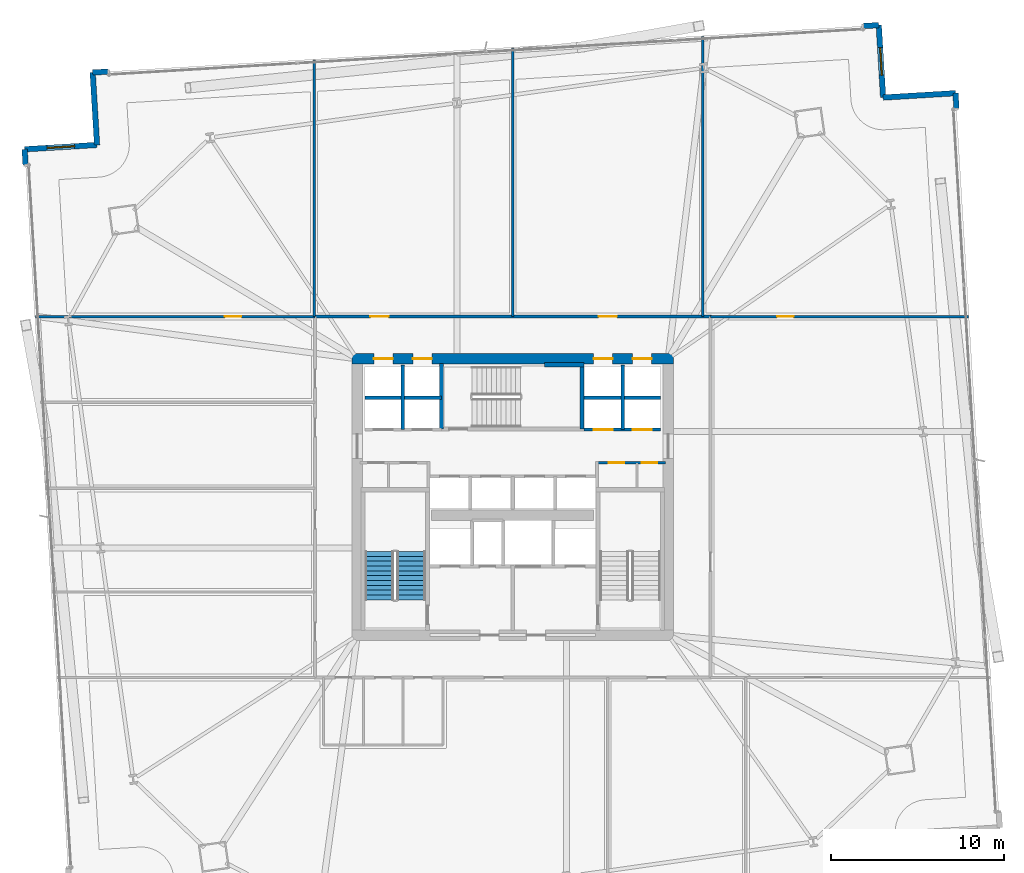
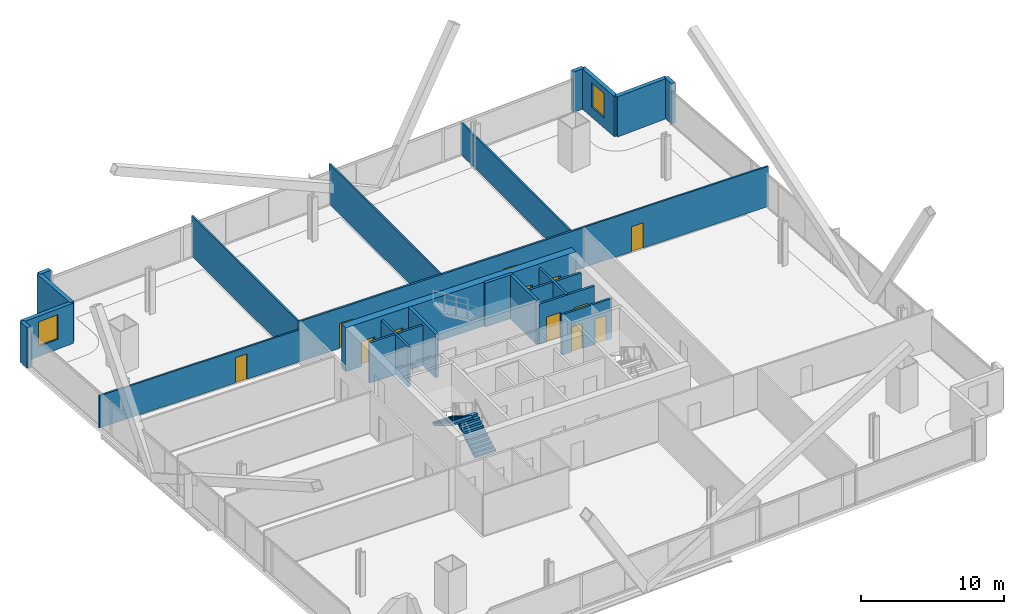
# One storey, part 28 of 34: 24 walls, 12 doors, 2 stair flights, 2 windows, 14 openings, 1 element without a shape of its own.
"""IFC4 building model written with IfcOpenShell, lengths in metres."""

from ifc_helpers import new_model, si_unit, direction, frame, frame_2d, origin, place, context, subcontext, project, spatial, polyline, rectangle, outline, extrude, material, layer, layer_set, type_object, element, fill, aggregate, save


model = new_model("IFC4")

# Units and contexts
model_context = context("Model", 3, precision=1e-05, world=origin(), true_north=direction((0.0, 1.0)))
body_context = subcontext(model_context, "Body", "Model", "MODEL_VIEW")
ifc_project = project(units=[si_unit("LENGTHUNIT", "METRE"), si_unit("AREAUNIT", "SQUARE_METRE"), si_unit("VOLUMEUNIT", "CUBIC_METRE"), si_unit("PLANEANGLEUNIT", "RADIAN"), si_unit("MASSUNIT", "GRAM", prefix="KILO")], contexts=[model_context])

# Site, building, storey
site_placement = place(None, origin())
site = spatial("IfcSite", under=ifc_project, at=site_placement, CompositionType="ELEMENT")
building_placement = place(site_placement, origin())
building = spatial("IfcBuilding", under=site, at=building_placement, Name="Haldenkirk Collegiate Tower", CompositionType="ELEMENT")
storey_placement = place(building_placement, frame((0.0, 0.0, 40.199951171875)))
storey = spatial("IfcBuildingStorey", under=building, at=storey_placement, Name="L08", CompositionType="ELEMENT", Elevation=40.199951171875)

# Wall, openings, doors
ifc_material_1 = material(Name="Concrete f'c 70 MPa", Category="concrete")
ifc_layer_1 = layer(ifc_material_1, 0.60009765625)
ifc_layer_set_1 = layer_set([ifc_layer_1], Name="Concrete f'c 70 MPa")
wall_type_1 = type_object("IfcWallType", Name="WL-CORE-600", PredefinedType="SHEAR", material=ifc_layer_set_1)
wall_1_placement = place(storey_placement, frame((26.699951171875, 34.0, 0.0), z_axis=(0.0, 0.0, 1.0), x_axis=(1.0, 0.0, 0.0)))
wall_1 = element("IfcWall", 1, at=wall_1_placement, inside=storey, type_object=wall_type_1, Name="L08 central core shear wall N", PredefinedType="SHEAR", context=body_context, shape_type="SweptSolid", body=[
    extrude(rectangle(XDim=18.60009765625, YDim=0.60009765625, at=frame_2d((9.300048828125, 0.0))), origin(), (0.0, 0.0, 1.0), 3.75),
])
opening_1_placement = place(wall_1_placement, frame((1.264892578125, 0.0, 0.0)))
opening_1 = element("IfcOpeningElement", 2, at=opening_1_placement, cuts=wall_1, Name="Opening LD-11", PredefinedType="OPENING", context=body_context, shape_type="SweptSolid", body=[
    extrude(rectangle(XDim=1.10009765625, YDim=2.14990234375, at=frame_2d((0.550048828125, 1.074951171875))), frame((0.0, 0.31005859375, 0.0), z_axis=(0.0, -1.0, 0.0), x_axis=(1.0, 0.0, 0.0)), (0.0, 0.0, 1.0), 0.6201171875),
])
opening_2_placement = place(wall_1_placement, frame((3.514892578125, 0.0, 0.0)))
opening_2 = element("IfcOpeningElement", 3, at=opening_2_placement, cuts=wall_1, Name="Opening LD-11", PredefinedType="OPENING", context=body_context, shape_type="SweptSolid", body=[
    extrude(rectangle(XDim=1.10009765625, YDim=2.14990234375, at=frame_2d((0.550048828125, 1.074951171875))), frame((0.0, 0.31005859375, 0.0), z_axis=(0.0, -1.0, 0.0), x_axis=(1.0, 0.0, 0.0)), (0.0, 0.0, 1.0), 0.6201171875),
])
opening_3_placement = place(wall_1_placement, frame((13.985107421875, 0.0, 0.0)))
opening_3 = element("IfcOpeningElement", 4, at=opening_3_placement, cuts=wall_1, Name="Opening LD-11", PredefinedType="OPENING", context=body_context, shape_type="SweptSolid", body=[
    extrude(rectangle(XDim=1.10009765625, YDim=2.14990234375, at=frame_2d((0.550048828125, 1.074951171875))), frame((0.0, 0.31005859375, 0.0), z_axis=(0.0, -1.0, 0.0), x_axis=(1.0, 0.0, 0.0)), (0.0, 0.0, 1.0), 0.6201171875),
])
opening_4_placement = place(wall_1_placement, frame((16.235107421875, 0.0, 0.0)))
opening_4 = element("IfcOpeningElement", 5, at=opening_4_placement, cuts=wall_1, Name="Opening LD-11", PredefinedType="OPENING", context=body_context, shape_type="SweptSolid", body=[
    extrude(rectangle(XDim=1.10009765625, YDim=2.14990234375, at=frame_2d((0.550048828125, 1.074951171875))), frame((0.0, 0.31005859375, 0.0), z_axis=(0.0, -1.0, 0.0), x_axis=(1.0, 0.0, 0.0)), (0.0, 0.0, 1.0), 0.6201171875),
])
ifc_material_2 = material(Name="Brushed architectural stainless steel", Category="steel")
ifc_layer_2 = layer(ifc_material_2, 0.06005859375)
ifc_layer_set_2 = layer_set([ifc_layer_2], Name="Brushed architectural stainless steel")
door_type_1 = type_object("IfcDoorType", Name="LD-PASS-1100", OperationType="NOTDEFINED", PredefinedType="DOOR", material=ifc_layer_set_2)
door_1_placement = place(opening_1_placement, origin())
door_1 = element("IfcDoor", 6, at=door_1_placement, inside=storey, type_object=door_type_1, Name="L08 Elevator PL3 sliding landing door", OperationType="SLIDING_TO_LEFT", OverallHeight=2.14990234375, OverallWidth=1.10009765625, PredefinedType="DOOR", context=body_context, shape_type="SweptSolid", body=[
    extrude(rectangle(XDim=1.10009765625, YDim=2.14990234375, at=frame_2d((0.550048828125, 1.074951171875))), frame((0.0, 0.02490234375, 0.0), z_axis=(0.0, -1.0, 0.0), x_axis=(1.0, 0.0, 0.0)), (0.0, 0.0, 1.0), 0.050048828125),
])
fill(opening_1, door_1)
door_2_placement = place(opening_2_placement, origin())
door_2 = element("IfcDoor", 7, at=door_2_placement, inside=storey, type_object=door_type_1, Name="L08 Elevator PL4 sliding landing door", OperationType="SLIDING_TO_LEFT", OverallHeight=2.14990234375, OverallWidth=1.10009765625, PredefinedType="DOOR", context=body_context, shape_type="SweptSolid", body=[
    extrude(rectangle(XDim=1.10009765625, YDim=2.14990234375, at=frame_2d((0.550048828125, 1.074951171875))), frame((0.0, 0.02490234375, 0.0), z_axis=(0.0, -1.0, 0.0), x_axis=(1.0, 0.0, 0.0)), (0.0, 0.0, 1.0), 0.050048828125),
])
fill(opening_2, door_2)
door_3_placement = place(opening_3_placement, origin())
door_3 = element("IfcDoor", 8, at=door_3_placement, inside=storey, type_object=door_type_1, Name="L08 Elevator PM3 sliding landing door", OperationType="SLIDING_TO_LEFT", OverallHeight=2.14990234375, OverallWidth=1.10009765625, PredefinedType="DOOR", context=body_context, shape_type="SweptSolid", body=[
    extrude(rectangle(XDim=1.10009765625, YDim=2.14990234375, at=frame_2d((0.550048828125, 1.074951171875))), frame((0.0, 0.02490234375, 0.0), z_axis=(0.0, -1.0, 0.0), x_axis=(1.0, 0.0, 0.0)), (0.0, 0.0, 1.0), 0.050048828125),
])
fill(opening_3, door_3)
door_4_placement = place(opening_4_placement, origin())
door_4 = element("IfcDoor", 9, at=door_4_placement, inside=storey, type_object=door_type_1, Name="L08 Elevator PM4 sliding landing door", OperationType="SLIDING_TO_LEFT", OverallHeight=2.14990234375, OverallWidth=1.10009765625, PredefinedType="DOOR", context=body_context, shape_type="SweptSolid", body=[
    extrude(rectangle(XDim=1.10009765625, YDim=2.14990234375, at=frame_2d((0.550048828125, 1.074951171875))), frame((0.0, 0.02490234375, 0.0), z_axis=(0.0, -1.0, 0.0), x_axis=(1.0, 0.0, 0.0)), (0.0, 0.0, 1.0), 0.050048828125),
])
fill(opening_4, door_4)

# Walls
ifc_material_3 = material(Name="Precast concrete f'c 40 MPa", Category="concrete")
ifc_layer_3 = layer(ifc_material_3, 0.320068359375)
ifc_layer_set_3 = layer_set([ifc_layer_3], Name="Precast concrete f'c 40 MPa")
wall_type_2 = type_object("IfcWallType", Name="WL-EXT-TWR-320", PredefinedType="STANDARD", material=ifc_layer_set_3)
wall_2_placement = place(storey_placement, frame((61.63916015625, 49.38525390625, 0.0), z_axis=(0.0, 0.0, 1.0), x_axis=(0.060216615204, -0.998185333119, 0.0)))
element("IfcWall", 10, at=wall_2_placement, inside=storey, type_object=wall_type_2, Name="L08 precast corner pier EL", PredefinedType="STANDARD", context=body_context, shape_type="SweptSolid", body=[
    extrude(rectangle(XDim=0.900146484375, YDim=0.320068359375, at=frame_2d((0.4501953125, 0.0))), origin(), (0.0, 0.0, 1.0), 3.43994140625),
])
wall_3_placement = place(storey_placement, frame((57.44677734375, 49.132568359375, 0.0), z_axis=(0.0, 0.0, 1.0), x_axis=(0.998188544632, 0.060163355677, 0.0)))
element("IfcWall", 11, at=wall_3_placement, inside=storey, type_object=wall_type_2, Name="L08 bronze precast notch wall 05", PredefinedType="STANDARD", context=body_context, shape_type="SweptSolid", body=[
    extrude(rectangle(XDim=4.199951171875, YDim=0.320068359375, at=frame_2d((2.10009765625, 0.0))), origin(), (0.0, 0.0, 1.0), 3.43994140625),
])

# Wall, opening, window
wall_4_placement = place(storey_placement, frame((57.194091796875, 53.324951171875, 0.0), z_axis=(0.0, 0.0, 1.0), x_axis=(0.060163355677, -0.998188544632, 0.0)))
wall_4 = element("IfcWall", 12, at=wall_4_placement, inside=storey, type_object=wall_type_2, Name="L08 bronze precast notch wall 06", PredefinedType="STANDARD", context=body_context, shape_type="SweptSolid", body=[
    extrude(rectangle(XDim=4.199951171875, YDim=0.320068359375, at=frame_2d((2.10009765625, 0.0))), origin(), (0.0, 0.0, 1.0), 3.43994140625),
])
opening_5_placement = place(wall_4_placement, frame((1.300048828125, 0.0, 0.85009765625)))
opening_5 = element("IfcOpeningElement", 13, at=opening_5_placement, cuts=wall_4, Name="Opening W-03", PredefinedType="OPENING", context=body_context, shape_type="SweptSolid", body=[
    extrude(rectangle(XDim=1.60009765625, YDim=2.10009765625, at=frame_2d((0.800048828125, 1.050048828125))), frame((0.0, 0.169921875, 0.0), z_axis=(0.0, -1.0, 0.0), x_axis=(1.0, 0.0, 0.0)), (0.0, 0.0, 1.0), 0.340087890625),
])
ifc_material_4 = material(Name="Low-E argon triple insulating glass", Category="glass")
ifc_layer_4 = layer(ifc_material_4, 0.090087890625)
ifc_layer_set_4 = layer_set([ifc_layer_4], Name="Low-E argon triple insulating glass")
window_type = type_object("IfcWindowType", Name="WN-Z1-1600X2100", PartitioningType="SINGLE_PANEL", PredefinedType="WINDOW", material=ifc_layer_set_4)
window_1_placement = place(opening_5_placement, origin())
window_1 = element("IfcWindow", 14, at=window_1_placement, inside=storey, type_object=window_type, Name="L08 precast-frame academic window 5", OverallHeight=2.10009765625, OverallWidth=1.60009765625, PartitioningType="SINGLE_PANEL", PredefinedType="WINDOW", context=body_context, shape_type="SweptSolid", body=[
    extrude(rectangle(XDim=1.60009765625, YDim=2.10009765625, at=frame_2d((0.800048828125, 1.050048828125))), frame((0.0, 0.030029296875, 0.0), z_axis=(0.0, -1.0, 0.0), x_axis=(1.0, 0.0, 0.0)), (0.0, 0.0, 1.0), 0.06005859375),
])
fill(opening_5, window_1)

# Walls
for number, where, z_axis, x_axis, name in (
    (15, (11.6767578125, 50.580810546875, 0.0), (0.0, 0.0, 1.0), (0.998185333119, 0.060216615204, 0.0), "L08 precast corner pier NL"),
    (16, (56.295654296875, 53.270751953125, 0.0), (0.0, 0.0, 1.0), (0.998185333119, 0.060216615204, 0.0), "L08 precast corner pier NR"),
):
    element("IfcWall", number, at=place(storey_placement, frame(where, z_axis=z_axis, x_axis=x_axis)), inside=storey, type_object=wall_type_2, Name=name, PredefinedType="STANDARD", context=body_context, shape_type="SweptSolid", body=[
        extrude(rectangle(XDim=0.900146484375, YDim=0.320068359375, at=frame_2d((0.4501953125, 0.0))), origin(), (0.0, 0.0, 1.0), 3.43994140625),
    ])
wall_5_placement = place(storey_placement, frame((11.929443359375, 46.388427734375, 0.0), z_axis=(0.0, 0.0, 1.0), x_axis=(-0.060163355677, 0.998188544632, 0.0)))
element("IfcWall", 17, at=wall_5_placement, inside=storey, type_object=wall_type_2, Name="L08 bronze precast notch wall 08", PredefinedType="STANDARD", context=body_context, shape_type="SweptSolid", body=[
    extrude(rectangle(XDim=4.199951171875, YDim=0.320068359375, at=frame_2d((2.10009765625, 0.0))), origin(), (0.0, 0.0, 1.0), 3.43994140625),
])

# Wall, opening, window
wall_6_placement = place(storey_placement, frame((7.737060546875, 46.1357421875, 0.0), z_axis=(0.0, 0.0, 1.0), x_axis=(0.998188544632, 0.060163355677, 0.0)))
wall_6 = element("IfcWall", 18, at=wall_6_placement, inside=storey, type_object=wall_type_2, Name="L08 bronze precast notch wall 09", PredefinedType="STANDARD", context=body_context, shape_type="SweptSolid", body=[
    extrude(rectangle(XDim=4.199951171875, YDim=0.320068359375, at=frame_2d((2.10009765625, 0.0))), origin(), (0.0, 0.0, 1.0), 3.43994140625),
])
opening_6_placement = place(wall_6_placement, frame((1.300048828125, 0.0, 0.85009765625)))
opening_6 = element("IfcOpeningElement", 19, at=opening_6_placement, cuts=wall_6, Name="Opening W-03", PredefinedType="OPENING", context=body_context, shape_type="SweptSolid", body=[
    extrude(rectangle(XDim=1.60009765625, YDim=2.10009765625, at=frame_2d((0.800048828125, 1.050048828125))), frame((0.0, 0.169921875, 0.0), z_axis=(0.0, -1.0, 0.0), x_axis=(1.0, 0.0, 0.0)), (0.0, 0.0, 1.0), 0.340087890625),
])
window_2_placement = place(opening_6_placement, origin())
window_2 = element("IfcWindow", 20, at=window_2_placement, inside=storey, type_object=window_type, Name="L08 precast-frame academic window 8", OverallHeight=2.10009765625, OverallWidth=1.60009765625, PartitioningType="SINGLE_PANEL", PredefinedType="WINDOW", context=body_context, shape_type="SweptSolid", body=[
    extrude(rectangle(XDim=1.60009765625, YDim=2.10009765625, at=frame_2d((0.800048828125, 1.050048828125))), frame((0.0, 0.030029296875, 0.0), z_axis=(0.0, -1.0, 0.0), x_axis=(1.0, 0.0, 0.0)), (0.0, 0.0, 1.0), 0.06005859375),
])
fill(opening_6, window_2)

# Wall
wall_7_placement = place(storey_placement, frame((7.791259765625, 45.2373046875, 0.0), z_axis=(0.0, 0.0, 1.0), x_axis=(-0.060216615204, 0.998185333119, 0.0)))
element("IfcWall", 21, at=wall_7_placement, inside=storey, type_object=wall_type_2, Name="L08 precast corner pier WR", PredefinedType="STANDARD", context=body_context, shape_type="SweptSolid", body=[
    extrude(rectangle(XDim=0.900146484375, YDim=0.320068359375, at=frame_2d((0.4501953125, 0.0))), origin(), (0.0, 0.0, 1.0), 3.43994140625),
])

# Wall, openings, doors
ifc_material_5 = material(Name="Acoustic fire-rated gypsum partition", Category="concrete")
ifc_layer_5 = layer(ifc_material_5, 0.159912109375)
ifc_layer_set_5 = layer_set([ifc_layer_5], Name="Acoustic fire-rated gypsum partition")
wall_type_3 = type_object("IfcWallType", Name="WL-INT-CORR-160", PredefinedType="PARTITIONING", material=ifc_layer_set_5)
wall_8_placement = place(storey_placement, frame((40.800048828125, 27.97998046875, 0.0), z_axis=(0.0, 0.0, 1.0), x_axis=(1.0, 0.0, 0.0)))
wall_8 = element("IfcWall", 22, at=wall_8_placement, inside=storey, type_object=wall_type_3, Name="L08 interior partition IW-L08-VCSE-N", PredefinedType="PARTITIONING", context=body_context, shape_type="SweptSolid", body=[
    extrude(rectangle(XDim=4.050048828125, YDim=0.159912109375, at=frame_2d((2.02490234375, 0.0))), origin(), (0.0, 0.0, 1.0), 3.43994140625),
])
opening_7_placement = place(wall_8_placement, frame((0.77001953125, 0.0, 0.0)))
opening_7 = element("IfcOpeningElement", 23, at=opening_7_placement, cuts=wall_8, Name="Opening D-11", PredefinedType="OPENING", context=body_context, shape_type="SweptSolid", body=[
    extrude(rectangle(XDim=0.89990234375, YDim=2.14990234375, at=frame_2d((0.449951171875, 1.074951171875))), frame((0.0, 0.08984375, 0.0), z_axis=(0.0, -1.0, 0.0), x_axis=(1.0, 0.0, 0.0)), (0.0, 0.0, 1.0), 0.179931640625),
])
opening_8_placement = place(wall_8_placement, frame((2.679931640625, 0.0, 0.0)))
opening_8 = element("IfcOpeningElement", 24, at=opening_8_placement, cuts=wall_8, Name="Opening D-11", PredefinedType="OPENING", context=body_context, shape_type="SweptSolid", body=[
    extrude(rectangle(XDim=0.89990234375, YDim=2.14990234375, at=frame_2d((0.449951171875, 1.074951171875))), frame((0.0, 0.08984375, 0.0), z_axis=(0.0, -1.0, 0.0), x_axis=(1.0, 0.0, 0.0)), (0.0, 0.0, 1.0), 0.179931640625),
])
ifc_material_6 = material(Name="Solid-core architectural oak fire door", Category="wood")
ifc_layer_6 = layer(ifc_material_6, 0.06005859375)
ifc_layer_set_6 = layer_set([ifc_layer_6], Name="Solid-core architectural oak fire door")
door_type_2 = type_object("IfcDoorType", Name="DR-INT-FD60-900", OperationType="NOTDEFINED", PredefinedType="DOOR", material=ifc_layer_set_6)
door_5_placement = place(opening_7_placement, origin())
door_5 = element("IfcDoor", 25, at=door_5_placement, inside=storey, type_object=door_type_2, Name="L08 core archive door", OperationType="SINGLE_SWING_LEFT", OverallHeight=2.14990234375, OverallWidth=0.89990234375, PredefinedType="DOOR", context=body_context, shape_type="SweptSolid", body=[
    extrude(rectangle(XDim=0.89990234375, YDim=2.14990234375, at=frame_2d((0.449951171875, 1.074951171875))), frame((0.0, 0.02490234375, 0.0), z_axis=(0.0, -1.0, 0.0), x_axis=(1.0, 0.0, 0.0)), (0.0, 0.0, 1.0), 0.050048828125),
])
fill(opening_7, door_5)
door_6_placement = place(opening_8_placement, origin())
door_6 = element("IfcDoor", 26, at=door_6_placement, inside=storey, type_object=door_type_2, Name="L08 core telecom door", OperationType="SINGLE_SWING_RIGHT", OverallHeight=2.14990234375, OverallWidth=0.89990234375, PredefinedType="DOOR", context=body_context, shape_type="SweptSolid", body=[
    extrude(rectangle(XDim=0.89990234375, YDim=2.14990234375, at=frame_2d((0.449951171875, 1.074951171875))), frame((0.0, 0.02490234375, 0.0), z_axis=(0.0, -1.0, 0.0), x_axis=(1.0, 0.0, 0.0)), (0.0, 0.0, 1.0), 0.050048828125),
])
fill(opening_8, door_6)

wall_9_placement = place(storey_placement, frame((24.5, 36.449951171875, 0.0), z_axis=(0.0, 0.0, 1.0), x_axis=(1.0, 0.0, 0.0)))
wall_9 = element("IfcWall", 27, at=wall_9_placement, inside=storey, type_object=wall_type_3, Name="L08 interior partition IW-L08-CN", PredefinedType="PARTITIONING", context=body_context, shape_type="SweptSolid", body=[
    extrude(rectangle(XDim=23.0, YDim=0.159912109375, at=frame_2d((11.5, 0.0))), origin(), (0.0, 0.0, 1.0), 3.43994140625),
])
opening_9_placement = place(wall_9_placement, frame((3.260986328125, 0.0, 0.0)))
opening_9 = element("IfcOpeningElement", 28, at=opening_9_placement, cuts=wall_9, Name="Opening D-09", PredefinedType="OPENING", context=body_context, shape_type="SweptSolid", body=[
    extrude(rectangle(XDim=1.050048828125, YDim=2.14990234375, at=frame_2d((0.52490234375, 1.074951171875))), frame((0.0, 0.08984375, 0.0), z_axis=(0.0, -1.0, 0.0), x_axis=(1.0, 0.0, 0.0)), (0.0, 0.0, 1.0), 0.179931640625),
])
opening_10_placement = place(wall_9_placement, frame((16.47509765625, 0.0, 0.0)))
opening_10 = element("IfcOpeningElement", 29, at=opening_10_placement, cuts=wall_9, Name="Opening D-09", PredefinedType="OPENING", context=body_context, shape_type="SweptSolid", body=[
    extrude(rectangle(XDim=1.050048828125, YDim=2.14990234375, at=frame_2d((0.52490234375, 1.074951171875))), frame((0.0, 0.08984375, 0.0), z_axis=(0.0, -1.0, 0.0), x_axis=(1.0, 0.0, 0.0)), (0.0, 0.0, 1.0), 0.179931640625),
])
ifc_layer_7 = layer(ifc_material_6, 0.06005859375)
ifc_layer_set_7 = layer_set([ifc_layer_7], Name="Solid-core architectural oak fire door")
door_type_3 = type_object("IfcDoorType", Name="DR-INT-FD60-1050", OperationType="NOTDEFINED", PredefinedType="DOOR", material=ifc_layer_set_7)
door_7_placement = place(opening_9_placement, origin())
door_7 = element("IfcDoor", 30, at=door_7_placement, inside=storey, type_object=door_type_3, Name="L08 Case Method Seminar Room 5 door", OperationType="SINGLE_SWING_RIGHT", OverallHeight=2.14990234375, OverallWidth=1.050048828125, PredefinedType="DOOR", context=body_context, shape_type="SweptSolid", body=[
    extrude(rectangle(XDim=1.050048828125, YDim=2.14990234375, at=frame_2d((0.52490234375, 1.074951171875))), frame((0.0, 0.02490234375, 0.0), z_axis=(0.0, -1.0, 0.0), x_axis=(1.0, 0.0, 0.0)), (0.0, 0.0, 1.0), 0.050048828125),
])
fill(opening_9, door_7)
door_8_placement = place(opening_10_placement, origin())
door_8 = element("IfcDoor", 31, at=door_8_placement, inside=storey, type_object=door_type_3, Name="L08 Critique Seminar Room 6 door", OperationType="SINGLE_SWING_LEFT", OverallHeight=2.14990234375, OverallWidth=1.050048828125, PredefinedType="DOOR", context=body_context, shape_type="SweptSolid", body=[
    extrude(rectangle(XDim=1.050048828125, YDim=2.14990234375, at=frame_2d((0.52490234375, 1.074951171875))), frame((0.0, 0.02490234375, 0.0), z_axis=(0.0, -1.0, 0.0), x_axis=(1.0, 0.0, 0.0)), (0.0, 0.0, 1.0), 0.050048828125),
])
fill(opening_10, door_8)

# Wall, opening, door
ifc_layer_8 = layer(ifc_material_5, 0.139892578125)
ifc_layer_set_8 = layer_set([ifc_layer_8], Name="Acoustic fire-rated gypsum partition")
wall_type_4 = type_object("IfcWallType", Name="WL-INT-DIV-140", PredefinedType="PARTITIONING", material=ifc_layer_set_8)
wall_10_placement = place(storey_placement, frame((8.361083984375, 36.449951171875, 0.0), z_axis=(0.0, 0.0, 1.0), x_axis=(1.0, 0.0, 0.0)))
wall_10 = element("IfcWall", 32, at=wall_10_placement, inside=storey, type_object=wall_type_4, Name="L08 interior partition IW-L08-BWN", PredefinedType="PARTITIONING", context=body_context, shape_type="SweptSolid", body=[
    extrude(rectangle(XDim=16.18896484375, YDim=0.139892578125, at=frame_2d((8.094482421875, 0.0))), origin(), (0.0, 0.0, 1.0), 2.739013671875),
])
opening_11_placement = place(wall_10_placement, frame((10.970947265625, 0.0, 0.0)))
opening_11 = element("IfcOpeningElement", 33, at=opening_11_placement, cuts=wall_10, Name="Opening D-12", PredefinedType="OPENING", context=body_context, shape_type="SweptSolid", body=[
    extrude(rectangle(XDim=0.949951171875, YDim=2.14990234375, at=frame_2d((0.47509765625, 1.074951171875))), frame((0.0, 0.079833984375, 0.0), z_axis=(0.0, -1.0, 0.0), x_axis=(1.0, 0.0, 0.0)), (0.0, 0.0, 1.0), 0.159912109375),
])
ifc_layer_9 = layer(ifc_material_6, 0.06005859375)
ifc_layer_set_9 = layer_set([ifc_layer_9], Name="Solid-core architectural oak fire door")
door_type_4 = type_object("IfcDoorType", Name="DR-INT-STD-950", OperationType="NOTDEFINED", PredefinedType="DOOR", material=ifc_layer_set_9)
door_9_placement = place(opening_11_placement, origin())
door_9 = element("IfcDoor", 34, at=door_9_placement, inside=storey, type_object=door_type_4, Name="L08 Breakout Conference Room 4 door", OperationType="SINGLE_SWING_LEFT", OverallHeight=2.14990234375, OverallWidth=0.949951171875, PredefinedType="DOOR", context=body_context, shape_type="SweptSolid", body=[
    extrude(rectangle(XDim=0.949951171875, YDim=2.14990234375, at=frame_2d((0.47509765625, 1.074951171875))), frame((0.0, 0.02490234375, 0.0), z_axis=(0.0, -1.0, 0.0), x_axis=(1.0, 0.0, 0.0)), (0.0, 0.0, 1.0), 0.050048828125),
])
fill(opening_11, door_9)

wall_11_placement = place(storey_placement, frame((47.449951171875, 36.449951171875, 0.0), z_axis=(0.0, 0.0, 1.0), x_axis=(1.0, 0.0, 0.0)))
wall_11 = element("IfcWall", 35, at=wall_11_placement, inside=storey, type_object=wall_type_4, Name="L08 interior partition IW-L08-BEN", PredefinedType="PARTITIONING", context=body_context, shape_type="SweptSolid", body=[
    extrude(rectangle(XDim=14.928955078125, YDim=0.139892578125, at=frame_2d((7.46435546875, 0.0))), origin(), (0.0, 0.0, 1.0), 3.43994140625),
])
opening_12_placement = place(wall_11_placement, frame((3.862060546875, 0.0, 0.0)))
opening_12 = element("IfcOpeningElement", 36, at=opening_12_placement, cuts=wall_11, Name="Opening D-12", PredefinedType="OPENING", context=body_context, shape_type="SweptSolid", body=[
    extrude(rectangle(XDim=0.949951171875, YDim=2.14990234375, at=frame_2d((0.47509765625, 1.074951171875))), frame((0.0, 0.079833984375, 0.0), z_axis=(0.0, -1.0, 0.0), x_axis=(1.0, 0.0, 0.0)), (0.0, 0.0, 1.0), 0.159912109375),
])
door_10_placement = place(opening_12_placement, origin())
door_10 = element("IfcDoor", 37, at=door_10_placement, inside=storey, type_object=door_type_4, Name="L08 Graduate Seminar Room 7 door", OperationType="SINGLE_SWING_RIGHT", OverallHeight=2.14990234375, OverallWidth=0.949951171875, PredefinedType="DOOR", context=body_context, shape_type="SweptSolid", body=[
    extrude(rectangle(XDim=0.949951171875, YDim=2.14990234375, at=frame_2d((0.47509765625, 1.074951171875))), frame((0.0, 0.02490234375, 0.0), z_axis=(0.0, -1.0, 0.0), x_axis=(1.0, 0.0, 0.0)), (0.0, 0.0, 1.0), 0.050048828125),
])
fill(opening_12, door_10)

# Walls
wall_12_placement = place(storey_placement, frame((24.5, 36.449951171875, 0.0), z_axis=(0.0, 0.0, 1.0), x_axis=(0.0, 1.0, 0.0)))
element("IfcWall", 38, at=wall_12_placement, inside=storey, type_object=wall_type_4, Name="L08 interior partition IW-L08-RN1", PredefinedType="PARTITIONING", context=body_context, shape_type="SweptSolid", body=[
    extrude(rectangle(XDim=14.86376953125, YDim=0.139892578125, at=frame_2d((7.431884765625, 0.0))), origin(), (0.0, 0.0, 1.0), 3.43994140625),
])
wall_13_placement = place(storey_placement, frame((36.0, 36.449951171875, 0.0), z_axis=(0.0, 0.0, 1.0), x_axis=(0.0, 1.0, 0.0)))
element("IfcWall", 39, at=wall_13_placement, inside=storey, type_object=wall_type_4, Name="L08 interior partition IW-L08-RN2", PredefinedType="PARTITIONING", context=body_context, shape_type="SweptSolid", body=[
    extrude(rectangle(XDim=15.55712890625, YDim=0.139892578125, at=frame_2d((7.778564453125, 0.0))), origin(), (0.0, 0.0, 1.0), 3.43994140625),
])
wall_14_placement = place(storey_placement, frame((47.0, 36.449951171875, 0.0), z_axis=(0.0, 0.0, 1.0), x_axis=(0.0, 1.0, 0.0)))
element("IfcWall", 40, at=wall_14_placement, inside=storey, type_object=wall_type_4, Name="L08 interior partition IW-L08-RN3", PredefinedType="PARTITIONING", context=body_context, shape_type="SweptSolid", body=[
    extrude(rectangle(XDim=16.220458984375, YDim=0.139892578125, at=frame_2d((8.1103515625, 0.0))), origin(), (0.0, 0.0, 1.0), 2.739013671875),
])
ifc_material_7 = material(Name="Fire-rated gypsum shaftboard assembly", Category="concrete")
ifc_layer_10 = layer(ifc_material_7, 0.179931640625)
ifc_layer_set_10 = layer_set([ifc_layer_10], Name="Fire-rated gypsum shaftboard assembly")
wall_type_5 = type_object("IfcWallType", Name="WL-INT-SHAFT-180", PredefinedType="PARTITIONING", material=ifc_layer_set_10)
wall_15_placement = place(storey_placement, frame((27.449951171875, 31.75, 0.0), z_axis=(0.0, 0.0, 1.0), x_axis=(1.0, 0.0, 0.0)))
element("IfcWall", 41, at=wall_15_placement, inside=storey, type_object=wall_type_5, Name="L08 interior partition IW-L08-PLM", PredefinedType="PARTITIONING", context=body_context, shape_type="SweptSolid", body=[
    extrude(rectangle(XDim=4.429931640625, YDim=0.179931640625, at=frame_2d((2.21484375, 0.0))), origin(), (0.0, 0.0, 1.0), 3.43994140625),
])
wall_16_placement = place(storey_placement, frame((29.6298828125, 29.89990234375, 0.0), z_axis=(0.0, 0.0, 1.0), x_axis=(0.0, 1.0, 0.0)))
element("IfcWall", 42, at=wall_16_placement, inside=storey, type_object=wall_type_5, Name="L08 interior partition IW-L08-PLV", PredefinedType="PARTITIONING", context=body_context, shape_type="SweptSolid", body=[
    extrude(rectangle(XDim=3.75, YDim=0.179931640625, at=frame_2d((1.875, 0.0))), origin(), (0.0, 0.0, 1.0), 3.43994140625),
])

# Wall, openings, doors
wall_17_placement = place(storey_placement, frame((40.1201171875, 29.89990234375, 0.0), z_axis=(0.0, 0.0, 1.0), x_axis=(1.0, 0.0, 0.0)))
wall_17 = element("IfcWall", 43, at=wall_17_placement, inside=storey, type_object=wall_type_5, Name="L08 interior partition IW-L08-PMS", PredefinedType="PARTITIONING", context=body_context, shape_type="SweptSolid", body=[
    extrude(rectangle(XDim=4.429931640625, YDim=0.179931640625, at=frame_2d((2.21484375, 0.0))), origin(), (0.0, 0.0, 1.0), 3.43994140625),
])
opening_13_placement = place(wall_17_placement, frame((0.56494140625, 0.0, 0.0)))
opening_13 = element("IfcOpeningElement", 44, at=opening_13_placement, cuts=wall_17, Name="Opening LD-11", PredefinedType="OPENING", context=body_context, shape_type="SweptSolid", body=[
    extrude(rectangle(XDim=1.10009765625, YDim=2.14990234375, at=frame_2d((0.550048828125, 1.074951171875))), frame((0.0, 0.099853515625, 0.0), z_axis=(0.0, -1.0, 0.0), x_axis=(1.0, 0.0, 0.0)), (0.0, 0.0, 1.0), 0.199951171875),
])
opening_14_placement = place(wall_17_placement, frame((2.81494140625, 0.0, 0.0)))
opening_14 = element("IfcOpeningElement", 45, at=opening_14_placement, cuts=wall_17, Name="Opening LD-11", PredefinedType="OPENING", context=body_context, shape_type="SweptSolid", body=[
    extrude(rectangle(XDim=1.10009765625, YDim=2.14990234375, at=frame_2d((0.550048828125, 1.074951171875))), frame((0.0, 0.099853515625, 0.0), z_axis=(0.0, -1.0, 0.0), x_axis=(1.0, 0.0, 0.0)), (0.0, 0.0, 1.0), 0.199951171875),
])
door_11_placement = place(opening_13_placement, origin())
door_11 = element("IfcDoor", 46, at=door_11_placement, inside=storey, type_object=door_type_1, Name="L08 Elevator PM1 sliding landing door", OperationType="SLIDING_TO_LEFT", OverallHeight=2.14990234375, OverallWidth=1.10009765625, PredefinedType="DOOR", context=body_context, shape_type="SweptSolid", body=[
    extrude(rectangle(XDim=1.10009765625, YDim=2.14990234375, at=frame_2d((0.550048828125, 1.074951171875))), frame((0.0, 0.02490234375, 0.0), z_axis=(0.0, -1.0, 0.0), x_axis=(1.0, 0.0, 0.0)), (0.0, 0.0, 1.0), 0.050048828125),
])
fill(opening_13, door_11)
door_12_placement = place(opening_14_placement, origin())
door_12 = element("IfcDoor", 47, at=door_12_placement, inside=storey, type_object=door_type_1, Name="L08 Elevator PM2 sliding landing door", OperationType="SLIDING_TO_LEFT", OverallHeight=2.14990234375, OverallWidth=1.10009765625, PredefinedType="DOOR", context=body_context, shape_type="SweptSolid", body=[
    extrude(rectangle(XDim=1.10009765625, YDim=2.14990234375, at=frame_2d((0.550048828125, 1.074951171875))), frame((0.0, 0.02490234375, 0.0), z_axis=(0.0, -1.0, 0.0), x_axis=(1.0, 0.0, 0.0)), (0.0, 0.0, 1.0), 0.050048828125),
])
fill(opening_14, door_12)

# Walls
wall_18_placement = place(storey_placement, frame((40.1201171875, 31.75, 0.0), z_axis=(0.0, 0.0, 1.0), x_axis=(1.0, 0.0, 0.0)))
element("IfcWall", 48, at=wall_18_placement, inside=storey, type_object=wall_type_5, Name="L08 interior partition IW-L08-PMM", PredefinedType="PARTITIONING", context=body_context, shape_type="SweptSolid", body=[
    extrude(rectangle(XDim=4.429931640625, YDim=0.179931640625, at=frame_2d((2.21484375, 0.0))), origin(), (0.0, 0.0, 1.0), 3.43994140625),
])
wall_19_placement = place(storey_placement, frame((42.3701171875, 29.89990234375, 0.0), z_axis=(0.0, 0.0, 1.0), x_axis=(0.0, 1.0, 0.0)))
element("IfcWall", 49, at=wall_19_placement, inside=storey, type_object=wall_type_5, Name="L08 interior partition IW-L08-PMV", PredefinedType="PARTITIONING", context=body_context, shape_type="SweptSolid", body=[
    extrude(rectangle(XDim=3.75, YDim=0.179931640625, at=frame_2d((1.875, 0.0))), origin(), (0.0, 0.0, 1.0), 3.43994140625),
])
ifc_material_8 = material(Name="Concrete f'c 55 MPa", Category="concrete")
ifc_layer_11 = layer(ifc_material_8, 0.239990234375)
ifc_layer_set_11 = layer_set([ifc_layer_11], Name="Concrete f'c 55 MPa")
wall_type_6 = type_object("IfcWallType", Name="WL-SHAFT-240", PredefinedType="SHEAR", material=ifc_layer_set_11)
wall_20_placement = place(storey_placement, frame((31.8798828125, 29.929931640625, 0.0), z_axis=(0.0, 0.0, 1.0), x_axis=(0.0, 1.0, 0.0)))
element("IfcWall", 50, at=wall_20_placement, inside=storey, type_object=wall_type_6, Name="L08 stair shaft shear wall SW-L08-ST3W", PredefinedType="SHEAR", context=body_context, shape_type="SweptSolid", body=[
    extrude(rectangle(XDim=3.7900390625, YDim=0.239990234375, at=frame_2d((1.89501953125, 0.0))), origin(), (0.0, 0.0, 1.0), 3.75),
])
wall_21_placement = place(storey_placement, frame((40.02001953125, 29.929931640625, 0.0), z_axis=(0.0, 0.0, 1.0), x_axis=(0.0, 1.0, 0.0)))
element("IfcWall", 51, at=wall_21_placement, inside=storey, type_object=wall_type_6, Name="L08 stair shaft shear wall SW-L08-ST3E", PredefinedType="SHEAR", context=body_context, shape_type="SweptSolid", body=[
    extrude(rectangle(XDim=3.85009765625, YDim=0.239990234375, at=frame_2d((1.925048828125, 0.0))), origin(), (0.0, 0.0, 1.0), 3.75),
])
wall_22_placement = place(storey_placement, frame((37.85009765625, 33.659912109375, 0.0), z_axis=(0.0, 0.0, 1.0), x_axis=(1.0, 0.0, 0.0)))
element("IfcWall", 52, at=wall_22_placement, inside=storey, type_object=wall_type_6, Name="L08 stair shaft shear wall SW-L08-ST3N", PredefinedType="SHEAR", context=body_context, shape_type="SweptSolid", body=[
    extrude(rectangle(XDim=2.289794921875, YDim=0.239990234375, at=frame_2d((1.14501953125, 0.0))), origin(), (0.0, 0.0, 1.0), 3.75),
])

# Stair, stair flights
ifc_material_9 = material(Name="Concrete f'c 40 MPa", Category="concrete")
stair_type = type_object("IfcStairType", Name="STR-DOGLEG-1650", PredefinedType="HALF_TURN_STAIR", material=ifc_material_9)
stair_placement = place(storey_placement, origin())
stair = element("IfcStair", 53, at=stair_placement, inside=storey, type_object=stair_type, Name="L08 Core Exit Stair ST-1", PredefinedType="HALF_TURN_STAIR")
stair_flight_type = type_object("IfcStairFlightType", Name="STF-FLIGHT-1650", PredefinedType="STRAIGHT", material=ifc_material_9)
stair_flight_1_placement = place(storey_placement, frame((30.125, 20.050048828125, 0.0), z_axis=(0.0, 0.0, 1.0), x_axis=(0.0, 1.0, 0.0)))
stair_flight_1 = element("IfcStairFlight", 54, at=stair_flight_1_placement, type_object=stair_flight_type, Name="ST-1 flight 1", NumberOfRisers=11, NumberOfTreads=10, PredefinedType="STRAIGHT", RiserHeight=0.170454545, TreadLength=0.28, context=body_context, shape_type="SweptSolid", body=[
    extrude(outline(polyline([(0.0, 0.0), (0.0, 0.17041015625), (0.280029296875, 0.17041015625), (0.280029296875, 0.3408203125), (0.56005859375, 0.3408203125), (0.56005859375, 0.511474609375), (0.840087890625, 0.511474609375), (0.840087890625, 0.681884765625), (1.1201171875, 0.681884765625), (1.1201171875, 0.852294921875), (1.39990234375, 0.852294921875), (1.39990234375, 1.022705078125), (1.679931640625, 1.022705078125), (1.679931640625, 1.193115234375), (1.9599609375, 1.193115234375), (1.9599609375, 1.363525390625), (2.239990234375, 1.363525390625), (2.239990234375, 1.5341796875), (2.52001953125, 1.5341796875), (2.52001953125, 1.70458984375), (2.800048828125, 1.70458984375), (2.800048828125, 1.875), (2.800048828125, 1.529052734375), (0.288330078125, 0.0), (0.0, 0.0)])), frame((0.0, 0.824951171875, 0.0), z_axis=(0.0, -1.0, 0.0), x_axis=(1.0, 0.0, 0.0)), (0.0, 0.0, 1.0), 1.64990234375),
])
stair_flight_2_placement = place(storey_placement, frame((28.27490234375, 22.85009765625, 1.875), z_axis=(0.0, 0.0, 1.0), x_axis=(0.0, -1.0, 0.0)))
stair_flight_2 = element("IfcStairFlight", 55, at=stair_flight_2_placement, type_object=stair_flight_type, Name="ST-1 flight 2", NumberOfRisers=11, NumberOfTreads=10, PredefinedType="STRAIGHT", RiserHeight=0.170454545, TreadLength=0.28, context=body_context, shape_type="SweptSolid", body=[
    extrude(outline(polyline([(0.0, 0.0), (0.0, 0.17041015625), (0.280029296875, 0.17041015625), (0.280029296875, 0.3408203125), (0.56005859375, 0.3408203125), (0.56005859375, 0.511474609375), (0.840087890625, 0.511474609375), (0.840087890625, 0.681884765625), (1.1201171875, 0.681884765625), (1.1201171875, 0.852294921875), (1.39990234375, 0.852294921875), (1.39990234375, 1.022705078125), (1.679931640625, 1.022705078125), (1.679931640625, 1.193115234375), (1.9599609375, 1.193115234375), (1.9599609375, 1.363525390625), (2.239990234375, 1.363525390625), (2.239990234375, 1.5341796875), (2.52001953125, 1.5341796875), (2.52001953125, 1.70458984375), (2.800048828125, 1.70458984375), (2.800048828125, 1.875), (2.800048828125, 1.529052734375), (0.288330078125, 0.0), (0.0, 0.0)])), frame((0.0, 0.824951171875, 0.0), z_axis=(0.0, -1.0, 0.0), x_axis=(1.0, 0.0, 0.0)), (0.0, 0.0, 1.0), 1.64990234375),
])
aggregate(stair, [stair_flight_1, stair_flight_2])

save(model, "model.ifc")
